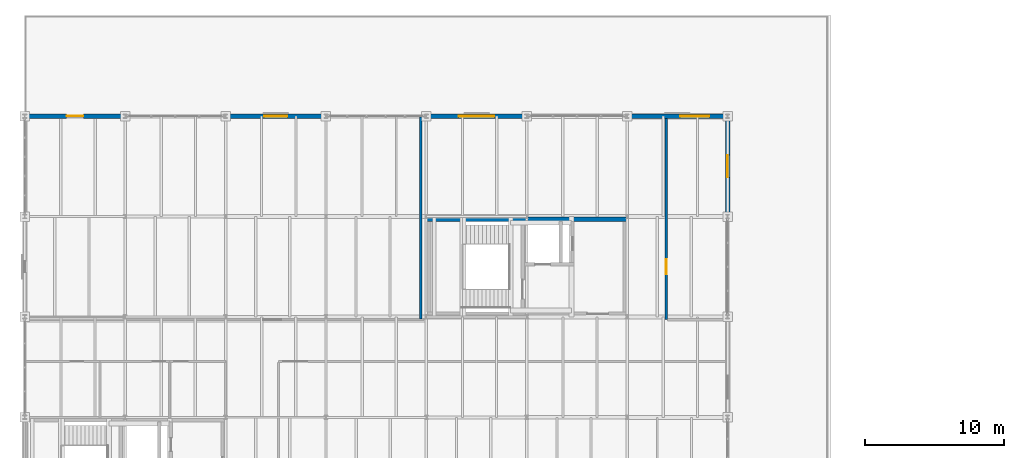
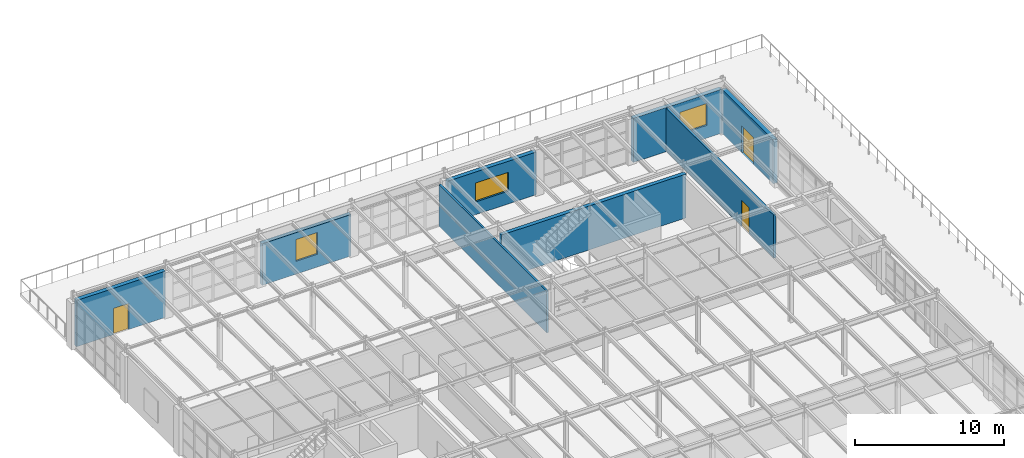
# One storey, part 94 of 101: 8 walls, 3 doors, 3 windows, 6 openings.
"""IFC4 building model written with IfcOpenShell, lengths in metres."""

import ifcopenshell
import ifcopenshell.guid

model = None  # the IFC model being written
_history = None  # IfcOwnerHistory: only IFC2X3 demands one
_inside = {}  # id of a spatial element -> (the spatial element, [elements in it])
_under = {}  # id of a project, library or spatial element -> (it, [spatial elements below it])
_declared = {}  # id of a project -> (the project, [libraries it declares])
_typed = {}  # id of a type object -> (the type object, [elements of that type])
_made_of = {}  # id of a material, layer set ... -> (it, [elements and type objects made of it])


def new_model(schema):
    """Start an empty IFC model of exactly this schema.

    Asked for "IFC4X3", IfcOpenShell would pick the latest addendum, in which some entities
    have other attributes; the version numbers below select the first issue.
    IFC2X3 requires an IfcOwnerHistory on every rooted entity: one is made here for all.
    """
    global model, _history
    if schema == "IFC4X3":
        model = ifcopenshell.file(schema_version=(4, 3, 0, 0))
    else:
        model = ifcopenshell.file(schema=schema)
    _inside.clear()
    _under.clear()
    _declared.clear()
    _typed.clear()
    _made_of.clear()
    _history = None
    if model.schema == "IFC2X3":
        org = make("IfcOrganization", Name="unknown")
        user = make(
            "IfcPersonAndOrganization",
            ThePerson=make("IfcPerson", FamilyName="unknown"),
            TheOrganization=org,
        )
        app = make(
            "IfcApplication",
            ApplicationDeveloper=org,
            Version="unknown",
            ApplicationFullName="unknown",
            ApplicationIdentifier="unknown",
        )
        _history = make(
            "IfcOwnerHistory",
            OwningUser=user,
            OwningApplication=app,
            ChangeAction="ADDED",
            CreationDate=0,
        )
    return model


def make(cls, **values):
    """One entity of the class cls with the attributes given. An attribute that is None is left unset."""
    return model.create_entity(
        cls, **{name: value for name, value in values.items() if value is not None}
    )


def rooted(cls, **values):
    """An entity with a GlobalId (a new one), such as an element, a storey or a relation."""
    return make(cls, GlobalId=ifcopenshell.guid.new(), OwnerHistory=_history, **values)


def si_unit(unit_type, name, prefix=None):
    """IfcSIUnit, for example si_unit("LENGTHUNIT", "METRE", prefix="MILLI")."""
    return make("IfcSIUnit", UnitType=unit_type, Prefix=prefix, Name=name)


def assignment(units):
    """IfcUnitAssignment: the units of a project."""
    return None if units is None else make("IfcUnitAssignment", Units=units)


def point(xyz):
    """IfcCartesianPoint."""
    return None if xyz is None else make("IfcCartesianPoint", Coordinates=xyz)


def direction(xyz):
    """IfcDirection."""
    return None if xyz is None else make("IfcDirection", DirectionRatios=xyz)


def frame(location, z_axis=None, x_axis=None):
    """IfcAxis2Placement3D, a coordinate frame: its origin and axes. An axis left out is left unset."""
    return make(
        "IfcAxis2Placement3D",
        Location=point(location),
        Axis=direction(z_axis),
        RefDirection=direction(x_axis),
    )


def frame_2d(location, x_axis=None):
    """IfcAxis2Placement2D, a coordinate frame in the plane: its origin and x axis."""
    return make(
        "IfcAxis2Placement2D", Location=point(location), RefDirection=direction(x_axis)
    )


def origin():
    """The frame at (0, 0, 0) with its axes left unset."""
    return frame((0.0, 0.0, 0.0))


def place(relative_to, where):
    """IfcLocalPlacement: puts the frame where relative to a parent placement (None: the world)."""
    return make(
        "IfcLocalPlacement", PlacementRelTo=relative_to, RelativePlacement=where
    )


def context(
    kind, dimensions, precision=None, world=None, true_north=None, identifier=None
):
    """IfcGeometricRepresentationContext, for example the 3D "Model" context."""
    return make(
        "IfcGeometricRepresentationContext",
        ContextIdentifier=identifier,
        ContextType=kind,
        CoordinateSpaceDimension=dimensions,
        Precision=precision,
        WorldCoordinateSystem=world,
        TrueNorth=true_north,
    )


def subcontext(parent, identifier, kind, view, scale=None):
    """IfcGeometricRepresentationSubContext, for example "Body" below "Model"."""
    return make(
        "IfcGeometricRepresentationSubContext",
        ContextIdentifier=identifier,
        ContextType=kind,
        ParentContext=parent,
        TargetScale=scale,
        TargetView=view,
    )


def project(units=None, contexts=None):
    """IfcProject with its units and contexts."""
    return rooted(
        "IfcProject",
        Name="project",
        RepresentationContexts=contexts,
        UnitsInContext=assignment(units),
    )


def spatial(cls, under=None, at=None, **own):
    """A site, building, storey or space (cls), placed at a placement, below another one or the project."""
    s = rooted(cls, ObjectPlacement=at, **own)
    if under is not None:
        _under.setdefault(under.id(), (under, []))[1].append(s)
    return s


def profile(cls, at=None, kind="AREA", **sizes):
    """A parametric profile (cls). Its sizes go by their IFC names, for example OverallWidth=200.0."""
    return make(cls, ProfileType=kind, Position=at, **sizes)


def rectangle(**sizes):
    """IfcRectangleProfileDef."""
    return profile("IfcRectangleProfileDef", **sizes)


def extrude(swept, where, along, depth):
    """IfcExtrudedAreaSolid: the profile swept, set in the frame where, extruded along a direction by depth."""
    return make(
        "IfcExtrudedAreaSolid",
        SweptArea=swept,
        Position=where,
        ExtrudedDirection=direction(along),
        Depth=depth,
    )


def shape(context_of_items, identifier, shape_type, items):
    """IfcShapeRepresentation: the items that make up one representation, for example the "Body"."""
    return make(
        "IfcShapeRepresentation",
        ContextOfItems=context_of_items,
        RepresentationIdentifier=identifier,
        RepresentationType=shape_type,
        Items=items,
    )


def material(Name=None, Category=None):
    """IfcMaterial."""
    return make("IfcMaterial", Name=Name, Category=Category)


def layer(
    of_material, thickness, ventilated=None, Name=None, Category=None, Priority=None
):
    """IfcMaterialLayer: one layer of a wall or slab, of a material (None: an air gap)."""
    return make(
        "IfcMaterialLayer",
        Material=of_material,
        LayerThickness=thickness,
        IsVentilated=ventilated,
        Name=Name,
        Category=Category,
        Priority=Priority,
    )


def layer_set(layers, Name=None):
    """IfcMaterialLayerSet."""
    return make("IfcMaterialLayerSet", MaterialLayers=layers, LayerSetName=Name)


def made_of(thing, what):
    """Note that an element or type object is made of a material, layer set ...; save() writes the relation."""
    if what is not None:
        _made_of.setdefault(what.id(), (what, []))[1].append(thing)
    return thing


def type_object(cls, material=None, **own):
    """A type object (cls), such as IfcWallType, which elements share."""
    return made_of(rooted(cls, **own), material)


def element(
    cls,
    number,
    at=None,
    inside=None,
    cuts=None,
    type_object=None,
    material=None,
    context=None,
    identifier="Body",
    shape_type=None,
    held_by="IfcProductDefinitionShape",
    body=None,
    shapes=None,
    **own,
):
    """One element of the class cls, such as IfcWall. Its Tag is "e" and its number.

    at: its placement. inside: the storey or other place that contains it. cuts: it is an
    opening in that element (IfcRelVoidsElement). A single representation is given by context,
    identifier, shape_type and body (its items); several are given by shapes. held_by: the class
    of the entity that holds the representations. save() writes the other relations.
    """
    e = rooted(cls, Tag="e%d" % number, ObjectPlacement=at, **own)
    if body is not None:
        shapes = [shape(context, identifier, shape_type, body)]
    if shapes is not None:
        e.Representation = make(held_by, Representations=shapes)
    if inside is not None:
        _inside.setdefault(inside.id(), (inside, []))[1].append(e)
    if cuts is not None:
        rooted(
            "IfcRelVoidsElement", RelatingBuildingElement=cuts, RelatedOpeningElement=e
        )
    if type_object is not None:
        _typed.setdefault(type_object.id(), (type_object, []))[1].append(e)
    return made_of(e, material)


def fill(opening, filler):
    """IfcRelFillsElement: the door or window that sits in an opening."""
    return rooted(
        "IfcRelFillsElement",
        RelatingOpeningElement=opening,
        RelatedBuildingElement=filler,
    )


def aggregate(whole, parts):
    """IfcRelAggregates: a whole, such as a stair, and the parts it consists of."""
    return rooted("IfcRelAggregates", RelatingObject=whole, RelatedObjects=parts)


def save(model, path):
    """Write the relations noted so far, then the file.

    IfcRelAggregates (storeys below a building ...), IfcRelContainedInSpatialStructure (elements
    in a storey), IfcRelDefinesByType, IfcRelAssociatesMaterial and IfcRelDeclares: one each for
    every whole, place, type object, material and project.
    """
    for whole, parts in _under.values():
        aggregate(whole, parts)
    for where, things in _inside.values():
        rooted(
            "IfcRelContainedInSpatialStructure",
            RelatedElements=things,
            RelatingStructure=where,
        )
    for kind, things in _typed.values():
        rooted("IfcRelDefinesByType", RelatedObjects=things, RelatingType=kind)
    for what, things in _made_of.values():
        rooted("IfcRelAssociatesMaterial", RelatedObjects=things, RelatingMaterial=what)
    for by, libraries in _declared.values():
        rooted("IfcRelDeclares", RelatingContext=by, RelatedDefinitions=libraries)
    model.write(path)


model = new_model("IFC4")

# Units and contexts
model_context = context("Model", 3, precision=1e-05, world=origin(), true_north=direction((0.0, 1.0)))
body_context = subcontext(model_context, "Body", "Model", "MODEL_VIEW")
ifc_project = project(units=[si_unit("LENGTHUNIT", "METRE"), si_unit("AREAUNIT", "SQUARE_METRE"), si_unit("VOLUMEUNIT", "CUBIC_METRE"), si_unit("PLANEANGLEUNIT", "RADIAN"), si_unit("MASSUNIT", "GRAM", prefix="KILO")], contexts=[model_context])

# Site, building, storey
site_placement = place(None, origin())
site = spatial("IfcSite", under=ifc_project, at=site_placement, CompositionType="ELEMENT")
building_placement = place(site_placement, origin())
building = spatial("IfcBuilding", under=site, at=building_placement, Name="Kemerveld Promenade Tramway Depot", CompositionType="ELEMENT")
storey_placement = place(building_placement, frame((0.0, 0.0, 9.89990234375)))
storey = spatial("IfcBuildingStorey", under=building, at=storey_placement, Name="L02", CompositionType="ELEMENT", Elevation=9.89990234375)

# Wall
ifc_material_1 = material(Name="Concrete C40/50", Category="concrete")
ifc_layer_1 = layer(ifc_material_1, 0.300048828125)
ifc_layer_set_1 = layer_set([ifc_layer_1], Name="WL-CORE-300")
wall_type_1 = type_object("IfcWallType", Name="WL-CORE-300", PredefinedType="SHEAR", material=ifc_layer_set_1)
wall_1_placement = place(storey_placement, frame((28.85009765625, 64.60009765625, 0.0), z_axis=(0.0, 0.0, 1.0), x_axis=(1.0, 0.0, 0.0)))
element("IfcWall", 1, at=wall_1_placement, inside=storey, type_object=wall_type_1, Name="WL-C3-L02-N", PredefinedType="SHEAR", context=body_context, shape_type="SweptSolid", body=[
    extrude(rectangle(XDim=14.349853515625, YDim=0.300048828125, at=frame_2d((7.1748046875, 0.0))), origin(), (0.0, 0.0, 1.0), 3.60009765625),
])

# Wall, opening, door
ifc_material_2 = material(Name="Banded granite and red-ochre clay brick masonry", Category="masonry")
ifc_layer_2 = layer(ifc_material_2, 0.320068359375)
ifc_layer_set_2 = layer_set([ifc_layer_2], Name="WL-EXT-320")
wall_type_2 = type_object("IfcWallType", Name="WL-EXT-320", PredefinedType="SOLIDWALL", material=ifc_layer_set_2)
wall_2_placement = place(storey_placement, frame((0.158203125, 72.0, 0.0), z_axis=(0.0, 0.0, 1.0), x_axis=(1.0, 0.0, 0.0)))
wall_2 = element("IfcWall", 2, at=wall_2_placement, inside=storey, type_object=wall_type_2, Name="WL-L02-V5N-01", PredefinedType="SOLIDWALL", context=body_context, shape_type="SweptSolid", body=[
    extrude(rectangle(XDim=6.8837890625, YDim=0.320068359375, at=frame_2d((3.44189453125, 0.0))), origin(), (0.0, 0.0, 1.0), 3.800048828125),
])
opening_1_placement = place(wall_2_placement, frame((2.842041015625, 0.0, 0.0)))
opening_1 = element("IfcOpeningElement", 3, at=opening_1_placement, cuts=wall_2, Name="Opening D-146", PredefinedType="OPENING", context=body_context, shape_type="SweptSolid", body=[
    extrude(rectangle(XDim=1.199951171875, YDim=2.14990234375, at=frame_2d((0.60009765625, 1.074951171875))), frame((0.0, 0.169921875, 0.0), z_axis=(0.0, -1.0, 0.0), x_axis=(1.0, 0.0, 0.0)), (0.0, 0.0, 1.0), 0.340087890625),
])
ifc_material_3 = material(Name="Thermally broken aluminium glazed terrace door", Category="aluminium")
door_type_1 = type_object("IfcDoorType", Name="DR-TER2", OperationType="NOTDEFINED", PredefinedType="DOOR", material=ifc_material_3)
door_1_placement = place(opening_1_placement, origin())
door_1 = element("IfcDoor", 4, at=door_1_placement, inside=storey, type_object=door_type_1, Name="DR-EXT-146", OperationType="SINGLE_SWING_RIGHT", OverallHeight=2.14990234375, OverallWidth=1.199951171875, PredefinedType="DOOR", context=body_context, shape_type="SweptSolid", body=[
    extrude(rectangle(XDim=1.199951171875, YDim=2.14990234375, at=frame_2d((0.60009765625, 1.074951171875))), frame((0.0, 0.02490234375, 0.0), z_axis=(0.0, -1.0, 0.0), x_axis=(1.0, 0.0, 0.0)), (0.0, 0.0, 1.0), 0.050048828125),
])
fill(opening_1, door_1)

# Wall, opening, window
wall_3_placement = place(storey_placement, frame((14.55810546875, 72.0, 0.0), z_axis=(0.0, 0.0, 1.0), x_axis=(1.0, 0.0, 0.0)))
wall_3 = element("IfcWall", 5, at=wall_3_placement, inside=storey, type_object=wall_type_2, Name="WL-L02-V5N-03", PredefinedType="SOLIDWALL", context=body_context, shape_type="SweptSolid", body=[
    extrude(rectangle(XDim=6.8837890625, YDim=0.320068359375, at=frame_2d((3.44189453125, 0.0))), origin(), (0.0, 0.0, 1.0), 3.414306640625),
])
opening_2_placement = place(wall_3_placement, frame((2.612060546875, 0.0, 1.050048828125)))
opening_2 = element("IfcOpeningElement", 6, at=opening_2_placement, cuts=wall_3, Name="Opening W-191", PredefinedType="OPENING", context=body_context, shape_type="SweptSolid", body=[
    extrude(rectangle(XDim=1.659912109375, YDim=1.800048828125, at=frame_2d((0.830078125, 0.89990234375))), frame((0.0, 0.169921875, 0.0), z_axis=(0.0, -1.0, 0.0), x_axis=(1.0, 0.0, 0.0)), (0.0, 0.0, 1.0), 0.340087890625),
])
ifc_material_4 = material(Name="Bronze anodised aluminium and low-e glass", Category="aluminium")
window_type_1 = type_object("IfcWindowType", Name="WN-29", PartitioningType="SINGLE_PANEL", PredefinedType="WINDOW", material=ifc_material_4)
window_1_placement = place(opening_2_placement, origin())
window_1 = element("IfcWindow", 7, at=window_1_placement, inside=storey, type_object=window_type_1, Name="WN-L02-V5N-03", OverallHeight=1.800048828125, OverallWidth=1.659912109375, PartitioningType="SINGLE_PANEL", PredefinedType="WINDOW", context=body_context, shape_type="SweptSolid", body=[
    extrude(rectangle(XDim=1.659912109375, YDim=1.800048828125, at=frame_2d((0.830078125, 0.89990234375))), frame((0.0, 0.030029296875, 0.0), z_axis=(0.0, -1.0, 0.0), x_axis=(1.0, 0.0, 0.0)), (0.0, 0.0, 1.0), 0.06005859375),
])
fill(opening_2, window_1)

wall_4_placement = place(storey_placement, frame((28.9580078125, 72.0, 0.0), z_axis=(0.0, 0.0, 1.0), x_axis=(1.0, 0.0, 0.0)))
wall_4 = element("IfcWall", 8, at=wall_4_placement, inside=storey, type_object=wall_type_2, Name="WL-L02-V5N-05", PredefinedType="SOLIDWALL", context=body_context, shape_type="SweptSolid", body=[
    extrude(rectangle(XDim=6.8837890625, YDim=0.320068359375, at=frame_2d((3.44189453125, 0.0))), origin(), (0.0, 0.0, 1.0), 3.5029296875),
])
opening_3_placement = place(wall_4_placement, frame((2.162109375, 0.0, 1.050048828125)))
opening_3 = element("IfcOpeningElement", 9, at=opening_3_placement, cuts=wall_4, Name="Opening W-192", PredefinedType="OPENING", context=body_context, shape_type="SweptSolid", body=[
    extrude(rectangle(XDim=2.56005859375, YDim=1.550048828125, at=frame_2d((1.280029296875, 0.77490234375))), frame((0.0, 0.169921875, 0.0), z_axis=(0.0, -1.0, 0.0), x_axis=(1.0, 0.0, 0.0)), (0.0, 0.0, 1.0), 0.340087890625),
])
window_type_2 = type_object("IfcWindowType", Name="WN-39", PartitioningType="SINGLE_PANEL", PredefinedType="WINDOW", material=ifc_material_4)
window_2_placement = place(opening_3_placement, origin())
window_2 = element("IfcWindow", 10, at=window_2_placement, inside=storey, type_object=window_type_2, Name="WN-L02-V5N-05", OverallHeight=1.550048828125, OverallWidth=2.56005859375, PartitioningType="SINGLE_PANEL", PredefinedType="WINDOW", context=body_context, shape_type="SweptSolid", body=[
    extrude(rectangle(XDim=2.56005859375, YDim=1.550048828125, at=frame_2d((1.280029296875, 0.77490234375))), frame((0.0, 0.030029296875, 0.0), z_axis=(0.0, -1.0, 0.0), x_axis=(1.0, 0.0, 0.0)), (0.0, 0.0, 1.0), 0.06005859375),
])
fill(opening_3, window_2)

wall_5_placement = place(storey_placement, frame((43.358154296875, 72.0, 0.0), z_axis=(0.0, 0.0, 1.0), x_axis=(1.0, 0.0, 0.0)))
wall_5 = element("IfcWall", 11, at=wall_5_placement, inside=storey, type_object=wall_type_2, Name="WL-L02-V5N-07", PredefinedType="SOLIDWALL", context=body_context, shape_type="SweptSolid", body=[
    extrude(rectangle(XDim=6.883544921875, YDim=0.320068359375, at=frame_2d((3.44189453125, 0.0))), origin(), (0.0, 0.0, 1.0), 3.614990234375),
])
opening_4_placement = place(wall_5_placement, frame((3.637939453125, 0.0, 1.050048828125)))
opening_4 = element("IfcOpeningElement", 12, at=opening_4_placement, cuts=wall_5, Name="Opening W-193", PredefinedType="OPENING", context=body_context, shape_type="SweptSolid", body=[
    extrude(rectangle(XDim=2.10009765625, YDim=1.800048828125, at=frame_2d((1.050048828125, 0.89990234375))), frame((0.0, 0.169921875, 0.0), z_axis=(0.0, -1.0, 0.0), x_axis=(1.0, 0.0, 0.0)), (0.0, 0.0, 1.0), 0.340087890625),
])
window_type_3 = type_object("IfcWindowType", Name="WN-09", PartitioningType="SINGLE_PANEL", PredefinedType="WINDOW", material=ifc_material_4)
window_3_placement = place(opening_4_placement, origin())
window_3 = element("IfcWindow", 13, at=window_3_placement, inside=storey, type_object=window_type_3, Name="WN-L02-V5N-07", OverallHeight=1.800048828125, OverallWidth=2.10009765625, PartitioningType="SINGLE_PANEL", PredefinedType="WINDOW", context=body_context, shape_type="SweptSolid", body=[
    extrude(rectangle(XDim=2.10009765625, YDim=1.800048828125, at=frame_2d((1.050048828125, 0.89990234375))), frame((0.0, 0.030029296875, 0.0), z_axis=(0.0, -1.0, 0.0), x_axis=(1.0, 0.0, 0.0)), (0.0, 0.0, 1.0), 0.06005859375),
])
fill(opening_4, window_3)

# Wall, opening, door
wall_6_placement = place(storey_placement, frame((50.39990234375, 71.841796875, 0.0), z_axis=(0.0, 0.0, 1.0), x_axis=(0.0, -1.0, 0.0)))
wall_6 = element("IfcWall", 14, at=wall_6_placement, inside=storey, type_object=wall_type_2, Name="WL-L02-V5E-01", PredefinedType="SOLIDWALL", context=body_context, shape_type="SweptSolid", body=[
    extrude(rectangle(XDim=6.883544921875, YDim=0.320068359375, at=frame_2d((3.44189453125, 0.0))), origin(), (0.0, 0.0, 1.0), 3.614990234375),
])
opening_5_placement = place(wall_6_placement, frame((2.64208984375, 0.0, 0.0)))
opening_5 = element("IfcOpeningElement", 15, at=opening_5_placement, cuts=wall_6, Name="Opening D-145", PredefinedType="OPENING", context=body_context, shape_type="SweptSolid", body=[
    extrude(rectangle(XDim=1.60009765625, YDim=2.199951171875, at=frame_2d((0.800048828125, 1.10009765625))), frame((0.0, 0.169921875, 0.0), z_axis=(0.0, -1.0, 0.0), x_axis=(1.0, 0.0, 0.0)), (0.0, 0.0, 1.0), 0.340087890625),
])
door_type_2 = type_object("IfcDoorType", Name="DR-TER1", OperationType="NOTDEFINED", PredefinedType="DOOR", material=ifc_material_3)
door_2_placement = place(opening_5_placement, origin())
door_2 = element("IfcDoor", 16, at=door_2_placement, inside=storey, type_object=door_type_2, Name="DR-EXT-145", OperationType="SINGLE_SWING_LEFT", OverallHeight=2.199951171875, OverallWidth=1.60009765625, PredefinedType="DOOR", context=body_context, shape_type="SweptSolid", body=[
    extrude(rectangle(XDim=1.60009765625, YDim=2.199951171875, at=frame_2d((0.800048828125, 1.10009765625))), frame((0.0, 0.02490234375, 0.0), z_axis=(0.0, -1.0, 0.0), x_axis=(1.0, 0.0, 0.0)), (0.0, 0.0, 1.0), 0.050048828125),
])
fill(opening_5, door_2)

# Wall
ifc_material_5 = material(Name="Acoustic twin-stud gypsum partition")
ifc_layer_3 = layer(ifc_material_5, 0.159912109375)
ifc_layer_set_3 = layer_set([ifc_layer_3], Name="WL-PRT-160")
wall_type_3 = type_object("IfcWallType", Name="WL-PRT-160", PredefinedType="PARTITIONING", material=ifc_layer_set_3)
wall_7_placement = place(storey_placement, frame((28.39990234375, 57.449951171875, 0.0), z_axis=(0.0, 0.0, 1.0), x_axis=(0.0, 1.0, 0.0)))
element("IfcWall", 17, at=wall_7_placement, inside=storey, type_object=wall_type_3, Name="WL-DIV-L02-015", PredefinedType="PARTITIONING", context=body_context, shape_type="SweptSolid", body=[
    extrude(rectangle(XDim=14.469970703125, YDim=0.159912109375, at=frame_2d((7.23486328125, 0.0))), origin(), (0.0, 0.0, 1.0), 3.404296875),
])

# Wall, opening, door
ifc_material_6 = material(Name="Workshop acoustic block partition")
ifc_layer_4 = layer(ifc_material_6, 0.175048828125)
ifc_layer_set_4 = layer_set([ifc_layer_4], Name="WL-PRT-175")
wall_type_4 = type_object("IfcWallType", Name="WL-PRT-175", PredefinedType="PARTITIONING", material=ifc_layer_set_4)
wall_8_placement = place(storey_placement, frame((46.0, 57.39990234375, 0.0), z_axis=(0.0, 0.0, 1.0), x_axis=(0.0, 1.0, 0.0)))
wall_8 = element("IfcWall", 18, at=wall_8_placement, inside=storey, type_object=wall_type_4, Name="WL-PRT-RM-L02-V5-EXAM", PredefinedType="PARTITIONING", context=body_context, shape_type="SweptSolid", body=[
    extrude(rectangle(XDim=14.440185546875, YDim=0.175048828125, at=frame_2d((7.22021484375, 0.0))), origin(), (0.0, 0.0, 1.0), 3.550048828125),
])
opening_6_placement = place(wall_8_placement, frame((3.27490234375, 0.0, 0.0)))
opening_6 = element("IfcOpeningElement", 19, at=opening_6_placement, cuts=wall_8, Name="Opening D-670", PredefinedType="OPENING", context=body_context, shape_type="SweptSolid", body=[
    extrude(rectangle(XDim=1.050048828125, YDim=2.14990234375, at=frame_2d((0.52490234375, 1.074951171875))), frame((0.0, 0.097412109375, 0.0), z_axis=(0.0, -1.0, 0.0), x_axis=(1.0, 0.0, 0.0)), (0.0, 0.0, 1.0), 0.195068359375),
])
ifc_material_7 = material(Name="Glazed training classroom door")
door_type_3 = type_object("IfcDoorType", Name="DR-INT03", OperationType="NOTDEFINED", PredefinedType="DOOR", material=ifc_material_7)
door_3_placement = place(opening_6_placement, origin())
door_3 = element("IfcDoor", 20, at=door_3_placement, inside=storey, type_object=door_type_3, Name="DR-RM-RM-L02-V5-EXAM", OperationType="SINGLE_SWING_LEFT", OverallHeight=2.14990234375, OverallWidth=1.050048828125, PredefinedType="DOOR", context=body_context, shape_type="SweptSolid", body=[
    extrude(rectangle(XDim=1.050048828125, YDim=2.14990234375, at=frame_2d((0.52490234375, 1.074951171875))), frame((0.0, 0.02490234375, 0.0), z_axis=(0.0, -1.0, 0.0), x_axis=(1.0, 0.0, 0.0)), (0.0, 0.0, 1.0), 0.050048828125),
])
fill(opening_6, door_3)

save(model, "model.ifc")
